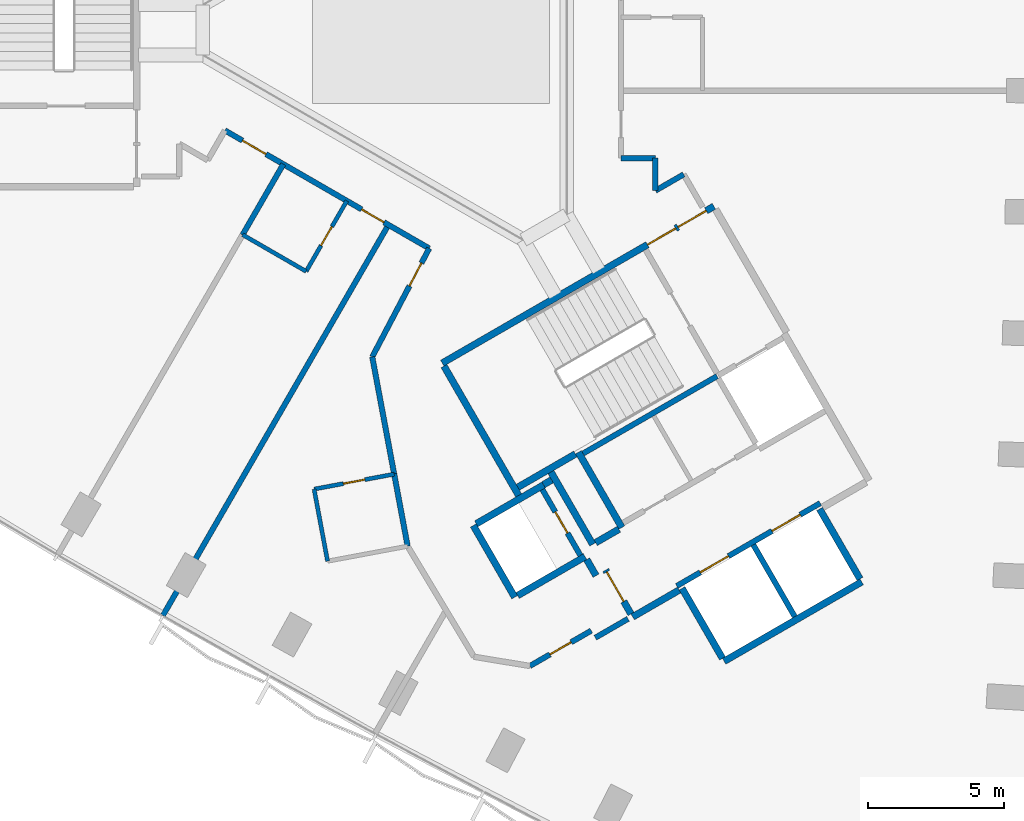
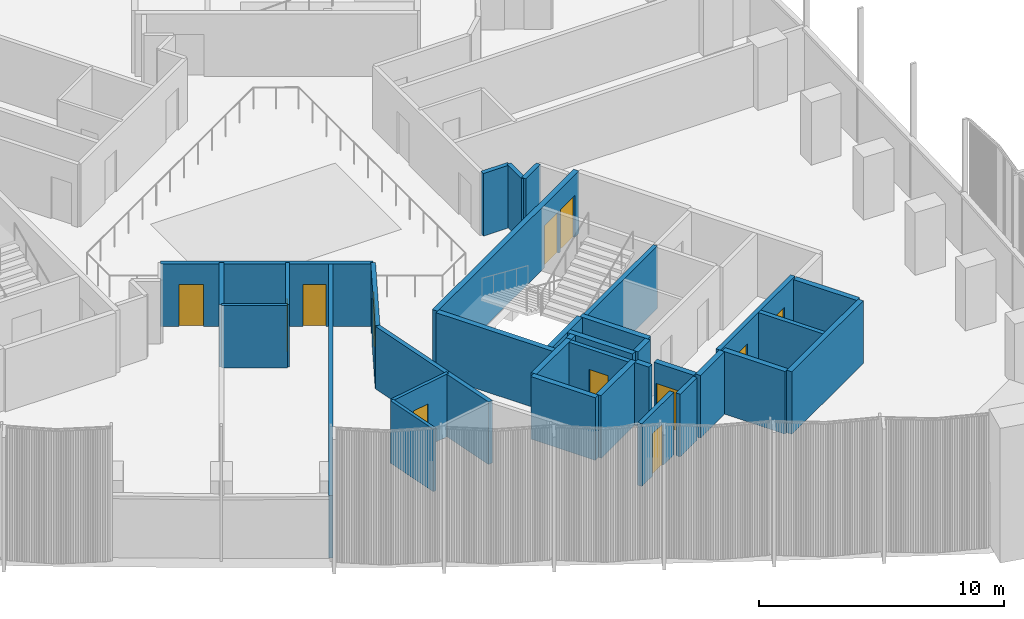
# One storey, part 8 of 15: 35 walls, 12 doors, 12 openings.
"""IFC4 building model written with IfcOpenShell, lengths in metres."""

from ifc_helpers import new_model, si_unit, direction, frame, frame_2d, origin, place, context, subcontext, project, spatial, rectangle, extrude, material, layer, layer_set, type_object, element, fill, save


model = new_model("IFC4")

# Units and contexts
model_context = context("Model", 3, precision=1e-05, world=origin(), true_north=direction((0.0, 1.0)))
body_context = subcontext(model_context, "Body", "Model", "MODEL_VIEW")
ifc_project = project(units=[si_unit("LENGTHUNIT", "METRE"), si_unit("AREAUNIT", "SQUARE_METRE"), si_unit("VOLUMEUNIT", "CUBIC_METRE"), si_unit("PLANEANGLEUNIT", "RADIAN"), si_unit("MASSUNIT", "GRAM", prefix="KILO")], contexts=[model_context])

# Site, building, storey
site_placement = place(None, origin())
site = spatial("IfcSite", under=ifc_project, at=site_placement, CompositionType="ELEMENT")
building_placement = place(site_placement, origin())
building = spatial("IfcBuilding", under=site, at=building_placement, Name="Tamra Quay Hotel Tower", CompositionType="ELEMENT")
storey_placement = place(building_placement, frame((0.0, 0.0, 35.0)))
storey = spatial("IfcBuildingStorey", under=building, at=storey_placement, Name="L06", CompositionType="ELEMENT", Elevation=35.0)

# Wall, openings, doors
ifc_material_1 = material(Name="Concrete M70", Category="concrete")
ifc_layer_1 = layer(ifc_material_1, 0.199951171875)
ifc_layer_set_1 = layer_set([ifc_layer_1], Name="Concrete M70 core wall 200")
wall_type_1 = type_object("IfcWallType", Name="Concrete M70 core wall 200", PredefinedType="SHEAR", material=ifc_layer_set_1)
wall_1_placement = place(storey_placement, frame((9.052490234375, -20.479736328125, 0.0), z_axis=(0.0, 0.0, 1.0), x_axis=(0.866030299012, 0.499991521122, 0.0)))
wall_1 = element("IfcWall", 1, at=wall_1_placement, inside=storey, type_object=wall_type_1, Name="CW2", PredefinedType="SHEAR", context=body_context, shape_type="SweptSolid", body=[
    extrude(rectangle(XDim=6.10009765625, YDim=0.199951171875, at=frame_2d((3.050048828125, 0.0))), origin(), (0.0, 0.0, 1.0), 3.125),
])
opening_1_placement = place(wall_1_placement, frame((1.0, 0.0, 0.0)))
opening_1 = element("IfcOpeningElement", 2, at=opening_1_placement, cuts=wall_1, Name="Opening LD", PredefinedType="OPENING", context=body_context, shape_type="SweptSolid", body=[
    extrude(rectangle(XDim=1.199951171875, YDim=2.10009765625, at=frame_2d((0.60009765625, 1.050048828125))), frame((0.0, 0.10986328125, 0.0), z_axis=(0.0, -1.0, 0.0), x_axis=(1.0, 0.0, 0.0)), (0.0, 0.0, 1.0), 0.219970703125),
])
opening_2_placement = place(wall_1_placement, frame((4.05029296875, 0.0, 0.0)))
opening_2 = element("IfcOpeningElement", 3, at=opening_2_placement, cuts=wall_1, Name="Opening LD", PredefinedType="OPENING", context=body_context, shape_type="SweptSolid", body=[
    extrude(rectangle(XDim=1.199951171875, YDim=2.10009765625, at=frame_2d((0.60009765625, 1.050048828125))), frame((0.0, 0.10986328125, 0.0), z_axis=(0.0, -1.0, 0.0), x_axis=(1.0, 0.0, 0.0)), (0.0, 0.0, 1.0), 0.219970703125),
])
ifc_material_2 = material(Name="Landing door LD 1200 double door sliding")
door_type_1 = type_object("IfcDoorType", Name="Landing door LD 1200 double door sliding", OperationType="DOUBLE_DOOR_SLIDING", PredefinedType="DOOR", material=ifc_material_2)
door_1_placement = place(opening_1_placement, origin())
door_1 = element("IfcDoor", 4, at=door_1_placement, inside=storey, type_object=door_type_1, Name="LD", OperationType="DOUBLE_DOOR_SLIDING", OverallHeight=2.10009765625, OverallWidth=1.199951171875, PredefinedType="DOOR", context=body_context, shape_type="SweptSolid", body=[
    extrude(rectangle(XDim=1.199951171875, YDim=2.10009765625, at=frame_2d((0.60009765625, 1.050048828125))), frame((0.0, 0.02490234375, 0.0), z_axis=(0.0, -1.0, 0.0), x_axis=(1.0, 0.0, 0.0)), (0.0, 0.0, 1.0), 0.050048828125),
])
fill(opening_1, door_1)
door_2_placement = place(opening_2_placement, origin())
door_2 = element("IfcDoor", 5, at=door_2_placement, inside=storey, type_object=door_type_1, Name="LD", OperationType="DOUBLE_DOOR_SLIDING", OverallHeight=2.10009765625, OverallWidth=1.199951171875, PredefinedType="DOOR", context=body_context, shape_type="SweptSolid", body=[
    extrude(rectangle(XDim=1.199951171875, YDim=2.10009765625, at=frame_2d((0.60009765625, 1.050048828125))), frame((0.0, 0.02490234375, 0.0), z_axis=(0.0, -1.0, 0.0), x_axis=(1.0, 0.0, 0.0)), (0.0, 0.0, 1.0), 0.050048828125),
])
fill(opening_2, door_2)

# Walls
wall_2_placement = place(storey_placement, frame((10.537841796875, -12.751953125, 0.0), z_axis=(0.0, 0.0, 1.0), x_axis=(-0.866038630372, -0.499977090179, 0.0)))
element("IfcWall", 6, at=wall_2_placement, inside=storey, type_object=wall_type_1, Name="CW2", PredefinedType="SHEAR", context=body_context, shape_type="SweptSolid", body=[
    extrude(rectangle(XDim=5.698974609375, YDim=0.199951171875, at=frame_2d((2.849609375, 0.0))), origin(), (0.0, 0.0, 1.0), 3.125),
])
wall_3_placement = place(storey_placement, frame((11.87451171875, -18.967041015625, 0.0), z_axis=(0.0, 0.0, 1.0), x_axis=(0.49998131003, -0.866036194175, 0.0)))
element("IfcWall", 7, at=wall_3_placement, inside=storey, type_object=wall_type_1, Name="CW2", PredefinedType="SHEAR", context=body_context, shape_type="SweptSolid", body=[
    extrude(rectangle(XDim=3.0478515625, YDim=0.199951171875, at=frame_2d((1.52392578125, 0.0))), origin(), (0.0, 0.0, 1.0), 3.125),
])

# Wall, opening, door
wall_4_placement = place(storey_placement, frame((5.50341796875, -19.352294921875, 0.0), z_axis=(0.0, 0.0, 1.0), x_axis=(-0.499986818241, 0.866033014143, 0.0)))
wall_4 = element("IfcWall", 8, at=wall_4_placement, inside=storey, type_object=wall_type_1, Name="CW2", PredefinedType="SHEAR", context=body_context, shape_type="SweptSolid", body=[
    extrude(rectangle(XDim=2.7978515625, YDim=0.199951171875, at=frame_2d((1.39892578125, 0.0))), origin(), (0.0, 0.0, 1.0), 3.125),
])
opening_3_placement = place(wall_4_placement, frame((0.948974609375, 0.0, 0.0)))
opening_3 = element("IfcOpeningElement", 9, at=opening_3_placement, cuts=wall_4, Name="Opening D1", PredefinedType="OPENING", context=body_context, shape_type="SweptSolid", body=[
    extrude(rectangle(XDim=0.89990234375, YDim=2.10009765625, at=frame_2d((0.449951171875, 1.050048828125))), frame((0.0, 0.10986328125, 0.0), z_axis=(0.0, -1.0, 0.0), x_axis=(1.0, 0.0, 0.0)), (0.0, 0.0, 1.0), 0.219970703125),
])
ifc_material_3 = material(Name="Core door D1 900x2100 LH")
door_type_2 = type_object("IfcDoorType", Name="Core door D1 900x2100 LH", OperationType="NOTDEFINED", PredefinedType="DOOR", material=ifc_material_3)
door_3_placement = place(opening_3_placement, origin())
door_3 = element("IfcDoor", 10, at=door_3_placement, inside=storey, type_object=door_type_2, Name="D1", OperationType="SINGLE_SWING_LEFT", OverallHeight=2.10009765625, OverallWidth=0.89990234375, PredefinedType="DOOR", context=body_context, shape_type="SweptSolid", body=[
    extrude(rectangle(XDim=0.89990234375, YDim=2.10009765625, at=frame_2d((0.449951171875, 1.050048828125))), frame((0.0, 0.02490234375, 0.0), z_axis=(0.0, -1.0, 0.0), x_axis=(1.0, 0.0, 0.0)), (0.0, 0.0, 1.0), 0.050048828125),
])
fill(opening_3, door_3)

# Wall, openings, doors
ifc_layer_2 = layer(ifc_material_1, 0.25)
ifc_layer_set_2 = layer_set([ifc_layer_2], Name="Concrete M70 core wall 250")
wall_type_2 = type_object("IfcWallType", Name="Concrete M70 core wall 250", PredefinedType="SHEAR", material=ifc_layer_set_2)
wall_5_placement = place(storey_placement, frame((0.417236328125, -12.27294921875, 0.0), z_axis=(0.0, 0.0, 1.0), x_axis=(0.866021906294, 0.500006057782, 0.0)))
wall_5 = element("IfcWall", 11, at=wall_5_placement, inside=storey, type_object=wall_type_2, Name="CW1", PredefinedType="SHEAR", context=body_context, shape_type="SweptSolid", body=[
    extrude(rectangle(XDim=11.550048828125, YDim=0.25, at=frame_2d((5.77490234375, 0.0))), origin(), (0.0, 0.0, 1.0), 3.125),
])
opening_4_placement = place(wall_5_placement, frame((10.024658203125, 0.0, 0.0)))
opening_4 = element("IfcOpeningElement", 12, at=opening_4_placement, cuts=wall_5, Name="Opening FD1", PredefinedType="OPENING", context=body_context, shape_type="SweptSolid", body=[
    extrude(rectangle(XDim=1.199951171875, YDim=2.10009765625, at=frame_2d((0.60009765625, 1.050048828125))), frame((0.0, 0.135009765625, 0.0), z_axis=(0.0, -1.0, 0.0), x_axis=(1.0, 0.0, 0.0)), (0.0, 0.0, 1.0), 0.27001953125),
])
opening_5_placement = place(wall_5_placement, frame((8.724609375, 0.0, 0.0)))
opening_5 = element("IfcOpeningElement", 13, at=opening_5_placement, cuts=wall_5, Name="Opening FD1", PredefinedType="OPENING", context=body_context, shape_type="SweptSolid", body=[
    extrude(rectangle(XDim=1.199951171875, YDim=2.10009765625, at=frame_2d((0.60009765625, 1.050048828125))), frame((0.0, 0.135009765625, 0.0), z_axis=(0.0, -1.0, 0.0), x_axis=(1.0, 0.0, 0.0)), (0.0, 0.0, 1.0), 0.27001953125),
])
ifc_material_4 = material(Name="Core door FD1 1200x2100 LH")
door_type_3 = type_object("IfcDoorType", Name="Core door FD1 1200x2100 LH", OperationType="NOTDEFINED", PredefinedType="DOOR", material=ifc_material_4)
door_4_placement = place(opening_4_placement, origin())
door_4 = element("IfcDoor", 14, at=door_4_placement, inside=storey, type_object=door_type_3, Name="FD1", OperationType="SINGLE_SWING_LEFT", OverallHeight=2.10009765625, OverallWidth=1.199951171875, PredefinedType="DOOR", context=body_context, shape_type="SweptSolid", body=[
    extrude(rectangle(XDim=1.199951171875, YDim=2.10009765625, at=frame_2d((0.60009765625, 1.050048828125))), frame((0.0, 0.02490234375, 0.0), z_axis=(0.0, -1.0, 0.0), x_axis=(1.0, 0.0, 0.0)), (0.0, 0.0, 1.0), 0.050048828125),
])
fill(opening_4, door_4)
ifc_material_5 = material(Name="Core door FD1 1200x2100 RH")
door_type_4 = type_object("IfcDoorType", Name="Core door FD1 1200x2100 RH", OperationType="NOTDEFINED", PredefinedType="DOOR", material=ifc_material_5)
door_5_placement = place(opening_5_placement, origin())
door_5 = element("IfcDoor", 15, at=door_5_placement, inside=storey, type_object=door_type_4, Name="FD1", OperationType="SINGLE_SWING_RIGHT", OverallHeight=2.10009765625, OverallWidth=1.199951171875, PredefinedType="DOOR", context=body_context, shape_type="SweptSolid", body=[
    extrude(rectangle(XDim=1.199951171875, YDim=2.10009765625, at=frame_2d((0.60009765625, 1.050048828125))), frame((0.0, 0.02490234375, 0.0), z_axis=(0.0, -1.0, 0.0), x_axis=(1.0, 0.0, 0.0)), (0.0, 0.0, 1.0), 0.050048828125),
])
fill(opening_5, door_5)

# Walls
wall_6_placement = place(storey_placement, frame((15.86474609375, -20.328369140625, 0.0), z_axis=(0.0, 0.0, 1.0), x_axis=(-0.86602852612, -0.499994591916, 0.0)))
element("IfcWall", 16, at=wall_6_placement, inside=storey, type_object=wall_type_2, Name="CW1", PredefinedType="SHEAR", context=body_context, shape_type="SweptSolid", body=[
    extrude(rectangle(XDim=5.85009765625, YDim=0.25, at=frame_2d((2.925048828125, 0.0))), origin(), (0.0, 0.0, 1.0), 3.125),
])
wall_7_placement = place(storey_placement, frame((3.23486328125, -17.15283203125, 0.0), z_axis=(0.0, 0.0, 1.0), x_axis=(-0.500008851346, 0.866020293397, 0.0)))
element("IfcWall", 17, at=wall_7_placement, inside=storey, type_object=wall_type_2, Name="CW1", PredefinedType="SHEAR", context=body_context, shape_type="SweptSolid", body=[
    extrude(rectangle(XDim=5.509765625, YDim=0.25, at=frame_2d((2.7548828125, 0.0))), origin(), (0.0, 0.0, 1.0), 3.125),
])
wall_8_placement = place(storey_placement, frame((7.030517578125, -18.327392578125, 0.0), z_axis=(0.0, 0.0, 1.0), x_axis=(-0.499971222258, 0.866042017984, 0.0)))
element("IfcWall", 18, at=wall_8_placement, inside=storey, type_object=wall_type_2, Name="CW1", PredefinedType="SHEAR", context=body_context, shape_type="SweptSolid", body=[
    extrude(rectangle(XDim=3.199951171875, YDim=0.25, at=frame_2d((1.60009765625, 0.0))), origin(), (0.0, 0.0, 1.0), 3.125),
])
for number, where, z_axis, x_axis, name in (
    (19, (14.314697265625, -17.643798828125, 0.0), (0.0, 0.0, 1.0), (0.500023226632, -0.866011993467, 0.0), "CW1"),
    (20, (10.73583984375, -23.144775390625, 0.0), (0.0, 0.0, 1.0), (-0.500023226632, 0.866011993467, 0.0), "CW1"),
):
    element("IfcWall", number, at=place(storey_placement, frame(where, z_axis=z_axis, x_axis=x_axis)), inside=storey, type_object=wall_type_2, Name=name, PredefinedType="SHEAR", context=body_context, shape_type="SweptSolid", body=[
        extrude(rectangle(XDim=2.974365234375, YDim=0.25, at=frame_2d((1.4873046875, 0.0))), origin(), (0.0, 0.0, 1.0), 3.125),
    ])
wall_9_placement = place(storey_placement, frame((3.085205078125, -20.893798828125, 0.0), z_axis=(0.0, 0.0, 1.0), x_axis=(-0.499978833458, 0.866037623948, 0.0)))
element("IfcWall", 21, at=wall_9_placement, inside=storey, type_object=wall_type_2, Name="CW1", PredefinedType="SHEAR", context=body_context, shape_type="SweptSolid", body=[
    extrude(rectangle(XDim=3.050048828125, YDim=0.25, at=frame_2d((1.52490234375, 0.0))), origin(), (0.0, 0.0, 1.0), 3.125),
])
wall_10_placement = place(storey_placement, frame((1.6689453125, -18.189697265625, 0.0), z_axis=(0.0, 0.0, 1.0), x_axis=(0.866042235819, 0.499970844928, 0.0)))
element("IfcWall", 22, at=wall_10_placement, inside=storey, type_object=wall_type_2, Name="CW1", PredefinedType="SHEAR", context=body_context, shape_type="SweptSolid", body=[
    extrude(rectangle(XDim=2.864501953125, YDim=0.25, at=frame_2d((1.43212890625, 0.0))), origin(), (0.0, 0.0, 1.0), 3.125),
])
wall_11_placement = place(storey_placement, frame((5.6748046875, -19.39892578125, 0.0), z_axis=(0.0, 0.0, 1.0), x_axis=(-0.866026637627, -0.499997862916, 0.0)))
element("IfcWall", 23, at=wall_11_placement, inside=storey, type_object=wall_type_2, Name="CW1", PredefinedType="SHEAR", context=body_context, shape_type="SweptSolid", body=[
    extrude(rectangle(XDim=2.86474609375, YDim=0.25, at=frame_2d((1.432373046875, 0.0))), origin(), (0.0, 0.0, 1.0), 3.125),
])
wall_12_placement = place(storey_placement, frame((4.414306640625, -16.275634765625, 0.0), z_axis=(0.0, 0.0, 1.0), x_axis=(0.500003324108, -0.866023484601, 0.0)))
element("IfcWall", 24, at=wall_12_placement, inside=storey, type_object=wall_type_2, Name="CW1", PredefinedType="SHEAR", context=body_context, shape_type="SweptSolid", body=[
    extrude(rectangle(XDim=3.0849609375, YDim=0.25, at=frame_2d((1.54248046875, 0.0))), origin(), (0.0, 0.0, 1.0), 3.125),
])
wall_13_placement = place(storey_placement, frame((5.322021484375, -15.618896484375, 0.0), z_axis=(0.0, 0.0, 1.0), x_axis=(-0.866026229868, -0.499998569178, 0.0)))
element("IfcWall", 25, at=wall_13_placement, inside=storey, type_object=wall_type_2, Name="CW1", PredefinedType="SHEAR", context=body_context, shape_type="SweptSolid", body=[
    extrude(rectangle(XDim=2.44921875, YDim=0.25, at=frame_2d((1.224609375, 0.0))), origin(), (0.0, 0.0, 1.0), 3.125),
])
wall_14_placement = place(storey_placement, frame((9.139892578125, -20.63134765625, 0.0), z_axis=(0.0, 0.0, 1.0), x_axis=(-0.866043531843, -0.499968599967, 0.0)))
element("IfcWall", 26, at=wall_14_placement, inside=storey, type_object=wall_type_2, Name="CW1", PredefinedType="SHEAR", context=body_context, shape_type="SweptSolid", body=[
    extrude(rectangle(XDim=1.974853515625, YDim=0.25, at=frame_2d((0.9873046875, 0.0))), origin(), (0.0, 0.0, 1.0), 3.125),
])

# Wall, opening, door
wall_15_placement = place(storey_placement, frame((7.3671875, -21.51025390625, 0.0), z_axis=(0.0, 0.0, 1.0), x_axis=(-0.499983108224, 0.866035156036, 0.0)))
wall_15 = element("IfcWall", 27, at=wall_15_placement, inside=storey, type_object=wall_type_2, Name="CW1", PredefinedType="SHEAR", context=body_context, shape_type="SweptSolid", body=[
    extrude(rectangle(XDim=1.86474609375, YDim=0.25, at=frame_2d((0.932373046875, 0.0))), origin(), (0.0, 0.0, 1.0), 3.125),
])
opening_6_placement = place(wall_15_placement, frame((0.53466796875, 0.0, 0.0)))
opening_6 = element("IfcOpeningElement", 28, at=opening_6_placement, cuts=wall_15, Name="Opening FD3", PredefinedType="OPENING", context=body_context, shape_type="SweptSolid", body=[
    extrude(rectangle(XDim=1.25, YDim=2.10009765625, at=frame_2d((0.625, 1.050048828125))), frame((0.0, 0.135009765625, 0.0), z_axis=(0.0, -1.0, 0.0), x_axis=(1.0, 0.0, 0.0)), (0.0, 0.0, 1.0), 0.27001953125),
])
ifc_material_6 = material(Name="Core door FD3 1250x2100 LH")
door_type_5 = type_object("IfcDoorType", Name="Core door FD3 1250x2100 LH", OperationType="NOTDEFINED", PredefinedType="DOOR", material=ifc_material_6)
door_6_placement = place(opening_6_placement, origin())
door_6 = element("IfcDoor", 29, at=door_6_placement, inside=storey, type_object=door_type_5, Name="FD3", OperationType="SINGLE_SWING_LEFT", OverallHeight=2.10009765625, OverallWidth=1.25, PredefinedType="DOOR", context=body_context, shape_type="SweptSolid", body=[
    extrude(rectangle(XDim=1.25, YDim=2.10009765625, at=frame_2d((0.625, 1.050048828125))), frame((0.0, 0.02490234375, 0.0), z_axis=(0.0, -1.0, 0.0), x_axis=(1.0, 0.0, 0.0)), (0.0, 0.0, 1.0), 0.050048828125),
])
fill(opening_6, door_6)

# Walls
wall_16_placement = place(storey_placement, frame((6.0654296875, -18.884765625, 0.0), z_axis=(0.0, 0.0, 1.0), x_axis=(0.866017078145, 0.500014420154, 0.0)))
element("IfcWall", 30, at=wall_16_placement, inside=storey, type_object=wall_type_2, Name="CW1", PredefinedType="SHEAR", context=body_context, shape_type="SweptSolid", body=[
    extrude(rectangle(XDim=0.9892578125, YDim=0.25, at=frame_2d((0.49462890625, 0.0))), origin(), (0.0, 0.0, 1.0), 3.125),
])
wall_17_placement = place(storey_placement, frame((6.07958984375, -20.100341796875, 0.0), z_axis=(0.0, 0.0, 1.0), x_axis=(-0.500051773299, 0.865995510393, 0.0)))
element("IfcWall", 31, at=wall_17_placement, inside=storey, type_object=wall_type_2, Name="CW1", PredefinedType="SHEAR", context=body_context, shape_type="SweptSolid", body=[
    extrude(rectangle(XDim=0.6845703125, YDim=0.25, at=frame_2d((0.34228515625, 0.0))), origin(), (0.0, 0.0, 1.0), 3.125),
])
wall_18_placement = place(storey_placement, frame((4.144775390625, -16.748779296875, 0.0), z_axis=(0.0, 0.0, 1.0), x_axis=(0.866185586049, 0.49972245349, 0.0)))
element("IfcWall", 32, at=wall_18_placement, inside=storey, type_object=wall_type_2, Name="CW1", PredefinedType="SHEAR", context=body_context, shape_type="SweptSolid", body=[
    extrude(rectangle(XDim=0.344482421875, YDim=0.25, at=frame_2d((0.17236328125, 0.0))), origin(), (0.0, 0.0, 1.0), 3.125),
])

# Wall, openings, doors
ifc_material_7 = material(Name="Partition corridor wall")
ifc_layer_3 = layer(ifc_material_7, 0.199951171875)
ifc_layer_set_3 = layer_set([ifc_layer_3], Name="Partition corridor wall")
wall_type_3 = type_object("IfcWallType", Name="Partition corridor wall", PredefinedType="PARTITIONING", material=ifc_layer_set_3)
wall_19_placement = place(storey_placement, frame((-7.589111328125, -3.701904296875, 0.0), z_axis=(0.0, 0.0, 1.0), x_axis=(0.865995139556, -0.500052415518, 0.0)))
wall_19 = element("IfcWall", 33, at=wall_19_placement, inside=storey, type_object=wall_type_3, Name="W-C", PredefinedType="PARTITIONING", context=body_context, shape_type="SweptSolid", body=[
    extrude(rectangle(XDim=8.68896484375, YDim=0.199951171875, at=frame_2d((4.344482421875, 0.0))), origin(), (0.0, 0.0, 1.0), 3.125),
])
opening_7_placement = place(wall_19_placement, frame((0.748779296875, 0.0, 0.0)))
opening_7 = element("IfcOpeningElement", 34, at=opening_7_placement, cuts=wall_19, Name="Opening L06-D014", PredefinedType="OPENING", context=body_context, shape_type="SweptSolid", body=[
    extrude(rectangle(XDim=1.0, YDim=2.10009765625, at=frame_2d((0.5, 1.050048828125))), frame((0.0, 0.10986328125, 0.0), z_axis=(0.0, -1.0, 0.0), x_axis=(1.0, 0.0, 0.0)), (0.0, 0.0, 1.0), 0.219970703125),
])
opening_8_placement = place(wall_19_placement, frame((5.818603515625, 0.0, 0.0)))
opening_8 = element("IfcOpeningElement", 35, at=opening_8_placement, cuts=wall_19, Name="Opening L06-D015", PredefinedType="OPENING", context=body_context, shape_type="SweptSolid", body=[
    extrude(rectangle(XDim=0.949951171875, YDim=2.10009765625, at=frame_2d((0.47509765625, 1.050048828125))), frame((0.0, 0.10986328125, 0.0), z_axis=(0.0, -1.0, 0.0), x_axis=(1.0, 0.0, 0.0)), (0.0, 0.0, 1.0), 0.219970703125),
])
ifc_material_8 = material(Name="Door guest room 1000x2100")
door_type_6 = type_object("IfcDoorType", Name="Door guest room 1000x2100", OperationType="NOTDEFINED", PredefinedType="DOOR", material=ifc_material_8)
door_7_placement = place(opening_7_placement, frame((1.0, 0.0, 0.0), z_axis=(0.0, 0.0, 1.0), x_axis=(-1.0, 0.0, 0.0)))
door_7 = element("IfcDoor", 36, at=door_7_placement, inside=storey, type_object=door_type_6, Name="L06-D014", OperationType="SINGLE_SWING_LEFT", OverallHeight=2.10009765625, OverallWidth=1.0, PredefinedType="DOOR", context=body_context, shape_type="SweptSolid", body=[
    extrude(rectangle(XDim=1.0, YDim=2.10009765625, at=frame_2d((0.5, 1.050048828125))), frame((0.0, 0.02490234375, 0.0), z_axis=(0.0, -1.0, 0.0), x_axis=(1.0, 0.0, 0.0)), (0.0, 0.0, 1.0), 0.050048828125),
])
fill(opening_7, door_7)
ifc_material_9 = material(Name="Door guest room 950x2100")
door_type_7 = type_object("IfcDoorType", Name="Door guest room 950x2100", OperationType="NOTDEFINED", PredefinedType="DOOR", material=ifc_material_9)
door_8_placement = place(opening_8_placement, frame((0.949951171875, 0.0, 0.0), z_axis=(0.0, 0.0, 1.0), x_axis=(-1.0, 0.0, 0.0)))
door_8 = element("IfcDoor", 37, at=door_8_placement, inside=storey, type_object=door_type_7, Name="L06-D015", OperationType="SINGLE_SWING_LEFT", OverallHeight=2.10009765625, OverallWidth=0.949951171875, PredefinedType="DOOR", context=body_context, shape_type="SweptSolid", body=[
    extrude(rectangle(XDim=0.949951171875, YDim=2.10009765625, at=frame_2d((0.47509765625, 1.050048828125))), frame((0.0, 0.02490234375, 0.0), z_axis=(0.0, -1.0, 0.0), x_axis=(1.0, 0.0, 0.0)), (0.0, 0.0, 1.0), 0.050048828125),
])
fill(opening_8, door_8)

# Wall
wall_20_placement = place(storey_placement, frame((-2.162109375, -12.0419921875, 0.0), z_axis=(0.0, 0.0, 1.0), x_axis=(0.183846917521, -0.982954887529, 0.0)))
element("IfcWall", 38, at=wall_20_placement, inside=storey, type_object=wall_type_3, Name="W-C", PredefinedType="PARTITIONING", context=body_context, shape_type="SweptSolid", body=[
    extrude(rectangle(XDim=4.40625, YDim=0.199951171875, at=frame_2d((2.203125, 0.0))), origin(), (0.0, 0.0, 1.0), 3.125),
])

# Wall, opening, door
wall_21_placement = place(storey_placement, frame((-2.162109375, -12.041015625, 0.0), z_axis=(0.0, 0.0, 1.0), x_axis=(0.464956890881, 0.885333321197, 0.0)))
wall_21 = element("IfcWall", 39, at=wall_21_placement, inside=storey, type_object=wall_type_3, Name="W-C", PredefinedType="PARTITIONING", context=body_context, shape_type="SweptSolid", body=[
    extrude(rectangle(XDim=4.512451171875, YDim=0.199951171875, at=frame_2d((2.25634765625, 0.0))), origin(), (0.0, 0.0, 1.0), 3.125),
])
opening_9_placement = place(wall_21_placement, frame((2.949951171875, 0.0, 0.0)))
opening_9 = element("IfcOpeningElement", 40, at=opening_9_placement, cuts=wall_21, Name="Opening L06-D017", PredefinedType="OPENING", context=body_context, shape_type="SweptSolid", body=[
    extrude(rectangle(XDim=0.949951171875, YDim=2.10009765625, at=frame_2d((0.47509765625, 1.050048828125))), frame((0.0, 0.10986328125, 0.0), z_axis=(0.0, -1.0, 0.0), x_axis=(1.0, 0.0, 0.0)), (0.0, 0.0, 1.0), 0.219970703125),
])
door_9_placement = place(opening_9_placement, origin())
door_9 = element("IfcDoor", 41, at=door_9_placement, inside=storey, type_object=door_type_7, Name="L06-D017", OperationType="SINGLE_SWING_LEFT", OverallHeight=2.10009765625, OverallWidth=0.949951171875, PredefinedType="DOOR", context=body_context, shape_type="SweptSolid", body=[
    extrude(rectangle(XDim=0.949951171875, YDim=2.10009765625, at=frame_2d((0.47509765625, 1.050048828125))), frame((0.0, 0.02490234375, 0.0), z_axis=(0.0, -1.0, 0.0), x_axis=(1.0, 0.0, 0.0)), (0.0, 0.0, 1.0), 0.050048828125),
])
fill(opening_9, door_9)

# Wall
wall_22_placement = place(storey_placement, frame((-1.35595703125, -16.34912109375, 0.0), z_axis=(0.0, 0.0, 1.0), x_axis=(0.183652540949, -0.982991222852, 0.0)))
element("IfcWall", 42, at=wall_22_placement, inside=storey, type_object=wall_type_3, Name="W-C", PredefinedType="PARTITIONING", context=body_context, shape_type="SweptSolid", body=[
    extrude(rectangle(XDim=2.7119140625, YDim=0.199951171875, at=frame_2d((1.35595703125, 0.0))), origin(), (0.0, 0.0, 1.0), 3.125),
])

# Wall, opening, door
wall_23_placement = place(storey_placement, frame((3.64306640625, -23.426025390625, 0.0), z_axis=(0.0, 0.0, 1.0), x_axis=(0.866654350985, 0.498909045738, 0.0)))
wall_23 = element("IfcWall", 43, at=wall_23_placement, inside=storey, type_object=wall_type_3, Name="W-C", PredefinedType="PARTITIONING", context=body_context, shape_type="SweptSolid", body=[
    extrude(rectangle(XDim=2.607666015625, YDim=0.199951171875, at=frame_2d((1.3037109375, 0.0))), origin(), (0.0, 0.0, 1.0), 3.125),
])
opening_10_placement = place(wall_23_placement, frame((0.85400390625, 0.0, 0.0)))
opening_10 = element("IfcOpeningElement", 44, at=opening_10_placement, cuts=wall_23, Name="Opening L06-D019", PredefinedType="OPENING", context=body_context, shape_type="SweptSolid", body=[
    extrude(rectangle(XDim=0.89990234375, YDim=2.10009765625, at=frame_2d((0.449951171875, 1.050048828125))), frame((0.0, 0.10986328125, 0.0), z_axis=(0.0, -1.0, 0.0), x_axis=(1.0, 0.0, 0.0)), (0.0, 0.0, 1.0), 0.219970703125),
])
ifc_material_10 = material(Name="Door service room 900x2100")
door_type_8 = type_object("IfcDoorType", Name="Door service room 900x2100", OperationType="NOTDEFINED", PredefinedType="DOOR", material=ifc_material_10)
door_10_placement = place(opening_10_placement, frame((0.89990234375, 0.0, 0.0), z_axis=(0.0, 0.0, 1.0), x_axis=(-1.0, 0.0, 0.0)))
door_10 = element("IfcDoor", 45, at=door_10_placement, inside=storey, type_object=door_type_8, Name="L06-D019", OperationType="SINGLE_SWING_LEFT", OverallHeight=2.10009765625, OverallWidth=0.89990234375, PredefinedType="DOOR", context=body_context, shape_type="SweptSolid", body=[
    extrude(rectangle(XDim=0.89990234375, YDim=2.10009765625, at=frame_2d((0.449951171875, 1.050048828125))), frame((0.0, 0.02490234375, 0.0), z_axis=(0.0, -1.0, 0.0), x_axis=(1.0, 0.0, 0.0)), (0.0, 0.0, 1.0), 0.050048828125),
])
fill(opening_10, door_10)

# Walls
wall_24_placement = place(storey_placement, frame((6.053955078125, -22.385009765625, 0.0), z_axis=(0.0, 0.0, 1.0), x_axis=(0.86593101922, 0.500163443238, 0.0)))
element("IfcWall", 46, at=wall_24_placement, inside=storey, type_object=wall_type_3, Name="W-C", PredefinedType="PARTITIONING", context=body_context, shape_type="SweptSolid", body=[
    extrude(rectangle(XDim=1.3896484375, YDim=0.199951171875, at=frame_2d((0.69482421875, 0.0))), origin(), (0.0, 0.0, 1.0), 3.125),
])
wall_25_placement = place(storey_placement, frame((7.0, -4.720947265625, 0.0), z_axis=(0.0, 0.0, 1.0), x_axis=(1.0, 0.0, 0.0)))
element("IfcWall", 47, at=wall_25_placement, inside=storey, type_object=wall_type_3, Name="W-C", PredefinedType="PARTITIONING", context=body_context, shape_type="SweptSolid", body=[
    extrude(rectangle(XDim=1.26806640625, YDim=0.199951171875, at=frame_2d((0.634033203125, 0.0))), origin(), (0.0, 0.0, 1.0), 3.125),
])
wall_26_placement = place(storey_placement, frame((8.26806640625, -5.9208984375, 0.0), z_axis=(0.0, 0.0, 1.0), x_axis=(0.0, 1.0, 0.0)))
element("IfcWall", 48, at=wall_26_placement, inside=storey, type_object=wall_type_3, Name="W-C", PredefinedType="PARTITIONING", context=body_context, shape_type="SweptSolid", body=[
    extrude(rectangle(XDim=1.199951171875, YDim=0.199951171875, at=frame_2d((0.60009765625, 0.0))), origin(), (0.0, 0.0, 1.0), 3.125),
])
wall_27_placement = place(storey_placement, frame((8.26806640625, -5.9208984375, 0.0), z_axis=(0.0, 0.0, 1.0), x_axis=(0.866344856625, 0.499446282797, 0.0)))
element("IfcWall", 49, at=wall_27_placement, inside=storey, type_object=wall_type_3, Name="W-C", PredefinedType="PARTITIONING", context=body_context, shape_type="SweptSolid", body=[
    extrude(rectangle(XDim=1.198974609375, YDim=0.199951171875, at=frame_2d((0.599609375, 0.0))), origin(), (0.0, 0.0, 1.0), 3.125),
])
ifc_material_11 = material(Name="Partition en-suite wall")
ifc_layer_4 = layer(ifc_material_11, 0.14990234375)
ifc_layer_set_4 = layer_set([ifc_layer_4], Name="Partition en-suite wall")
wall_type_4 = type_object("IfcWallType", Name="Partition en-suite wall", PredefinedType="PARTITIONING", material=ifc_layer_set_4)
wall_28_placement = place(storey_placement, frame((-6.93603515625, -7.54296875, 0.0), z_axis=(0.0, 0.0, 1.0), x_axis=(0.866087748728, -0.49989199984, 0.0)))
element("IfcWall", 50, at=wall_28_placement, inside=storey, type_object=wall_type_4, Name="W-E", PredefinedType="PARTITIONING", context=body_context, shape_type="SweptSolid", body=[
    extrude(rectangle(XDim=2.70068359375, YDim=0.14990234375, at=frame_2d((1.350341796875, 0.0))), origin(), (0.0, 0.0, 1.0), 3.125),
])

# Wall, opening, door
wall_29_placement = place(storey_placement, frame((-4.596923828125, -8.89306640625, 0.0), z_axis=(0.0, 0.0, 1.0), x_axis=(0.499745940409, 0.866172035478, 0.0)))
wall_29 = element("IfcWall", 51, at=wall_29_placement, inside=storey, type_object=wall_type_4, Name="W-E", PredefinedType="PARTITIONING", context=body_context, shape_type="SweptSolid", body=[
    extrude(rectangle(XDim=2.99951171875, YDim=0.14990234375, at=frame_2d((1.499755859375, 0.0))), origin(), (0.0, 0.0, 1.0), 3.125),
])
opening_11_placement = place(wall_29_placement, frame((1.099853515625, 0.0, 0.0)))
opening_11 = element("IfcOpeningElement", 52, at=opening_11_placement, cuts=wall_29, Name="Opening L06-D016", PredefinedType="OPENING", context=body_context, shape_type="SweptSolid", body=[
    extrude(rectangle(XDim=0.800048828125, YDim=2.10009765625, at=frame_2d((0.39990234375, 1.050048828125))), frame((0.0, 0.0849609375, 0.0), z_axis=(0.0, -1.0, 0.0), x_axis=(1.0, 0.0, 0.0)), (0.0, 0.0, 1.0), 0.169921875),
])
ifc_material_12 = material(Name="Door en-suite 800x2100")
door_type_9 = type_object("IfcDoorType", Name="Door en-suite 800x2100", OperationType="NOTDEFINED", PredefinedType="DOOR", material=ifc_material_12)
door_11_placement = place(opening_11_placement, origin())
door_11 = element("IfcDoor", 53, at=door_11_placement, inside=storey, type_object=door_type_9, Name="L06-D016", OperationType="SINGLE_SWING_LEFT", OverallHeight=2.10009765625, OverallWidth=0.800048828125, PredefinedType="DOOR", context=body_context, shape_type="SweptSolid", body=[
    extrude(rectangle(XDim=0.800048828125, YDim=2.10009765625, at=frame_2d((0.39990234375, 1.050048828125))), frame((0.0, 0.02490234375, 0.0), z_axis=(0.0, -1.0, 0.0), x_axis=(1.0, 0.0, 0.0)), (0.0, 0.0, 1.0), 0.050048828125),
])
fill(opening_11, door_11)

wall_30_placement = place(storey_placement, frame((-4.302978515625, -16.912109375, 0.0), z_axis=(0.0, 0.0, 1.0), x_axis=(0.982987155193, 0.183674311555, 0.0)))
wall_30 = element("IfcWall", 54, at=wall_30_placement, inside=storey, type_object=wall_type_4, Name="W-E", PredefinedType="PARTITIONING", context=body_context, shape_type="SweptSolid", body=[
    extrude(rectangle(XDim=3.0, YDim=0.14990234375, at=frame_2d((1.5, 0.0))), origin(), (0.0, 0.0, 1.0), 3.125),
])
opening_12_placement = place(wall_30_placement, frame((1.099609375, 0.0, 0.0)))
opening_12 = element("IfcOpeningElement", 55, at=opening_12_placement, cuts=wall_30, Name="Opening L06-D018", PredefinedType="OPENING", context=body_context, shape_type="SweptSolid", body=[
    extrude(rectangle(XDim=0.800048828125, YDim=2.10009765625, at=frame_2d((0.39990234375, 1.050048828125))), frame((0.0, 0.0849609375, 0.0), z_axis=(0.0, -1.0, 0.0), x_axis=(1.0, 0.0, 0.0)), (0.0, 0.0, 1.0), 0.169921875),
])
door_12_placement = place(opening_12_placement, origin())
door_12 = element("IfcDoor", 56, at=door_12_placement, inside=storey, type_object=door_type_9, Name="L06-D018", OperationType="SINGLE_SWING_LEFT", OverallHeight=2.10009765625, OverallWidth=0.800048828125, PredefinedType="DOOR", context=body_context, shape_type="SweptSolid", body=[
    extrude(rectangle(XDim=0.800048828125, YDim=2.10009765625, at=frame_2d((0.39990234375, 1.050048828125))), frame((0.0, 0.02490234375, 0.0), z_axis=(0.0, -1.0, 0.0), x_axis=(1.0, 0.0, 0.0)), (0.0, 0.0, 1.0), 0.050048828125),
])
fill(opening_12, door_12)

# Walls
wall_31_placement = place(storey_placement, frame((-4.302978515625, -16.912109375, 0.0), z_axis=(0.0, 0.0, 1.0), x_axis=(0.183753436081, -0.982972367225, 0.0)))
element("IfcWall", 57, at=wall_31_placement, inside=storey, type_object=wall_type_4, Name="W-E", PredefinedType="PARTITIONING", context=body_context, shape_type="SweptSolid", body=[
    extrude(rectangle(XDim=2.69970703125, YDim=0.14990234375, at=frame_2d((1.349853515625, 0.0))), origin(), (0.0, 0.0, 1.0), 3.125),
])
ifc_material_13 = material(Name="Partition party wall")
ifc_layer_5 = layer(ifc_material_13, 0.199951171875)
ifc_layer_set_5 = layer_set([ifc_layer_5], Name="Partition party wall")
wall_type_5 = type_object("IfcWallType", Name="Partition party wall", PredefinedType="PARTITIONING", material=ifc_layer_set_5)
wall_32_placement = place(storey_placement, frame((-9.870849609375, -21.5673828125, 0.0), z_axis=(0.0, 0.0, 1.0), x_axis=(0.500012909386, 0.866017950419, 0.0)))
element("IfcWall", 58, at=wall_32_placement, inside=storey, type_object=wall_type_5, Name="W-P", PredefinedType="PARTITIONING", context=body_context, shape_type="SweptSolid", body=[
    extrude(rectangle(XDim=16.61328125, YDim=0.199951171875, at=frame_2d((8.306640625, 0.0))), origin(), (0.0, 0.0, 1.0), 3.125),
])
wall_33_placement = place(storey_placement, frame((-6.94189453125, -7.552978515625, 0.0), z_axis=(0.0, 0.0, 1.0), x_axis=(0.500045262687, 0.865999269783, 0.0)))
element("IfcWall", 59, at=wall_33_placement, inside=storey, type_object=wall_type_5, Name="W-P", PredefinedType="PARTITIONING", context=body_context, shape_type="SweptSolid", body=[
    extrude(rectangle(XDim=3.011474609375, YDim=0.199951171875, at=frame_2d((1.505859375, 0.0))), origin(), (0.0, 0.0, 1.0), 3.125),
])

save(model, "model.ifc")
